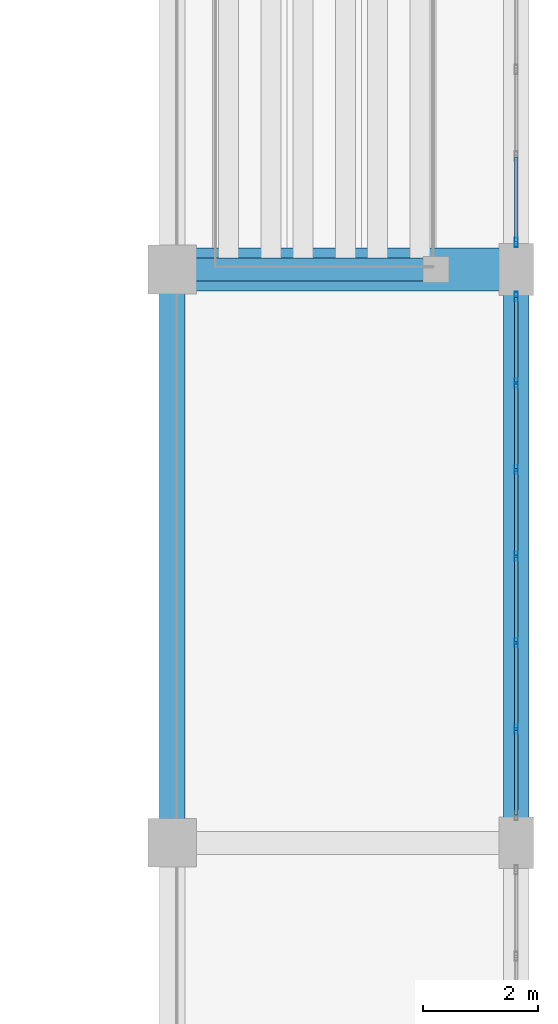
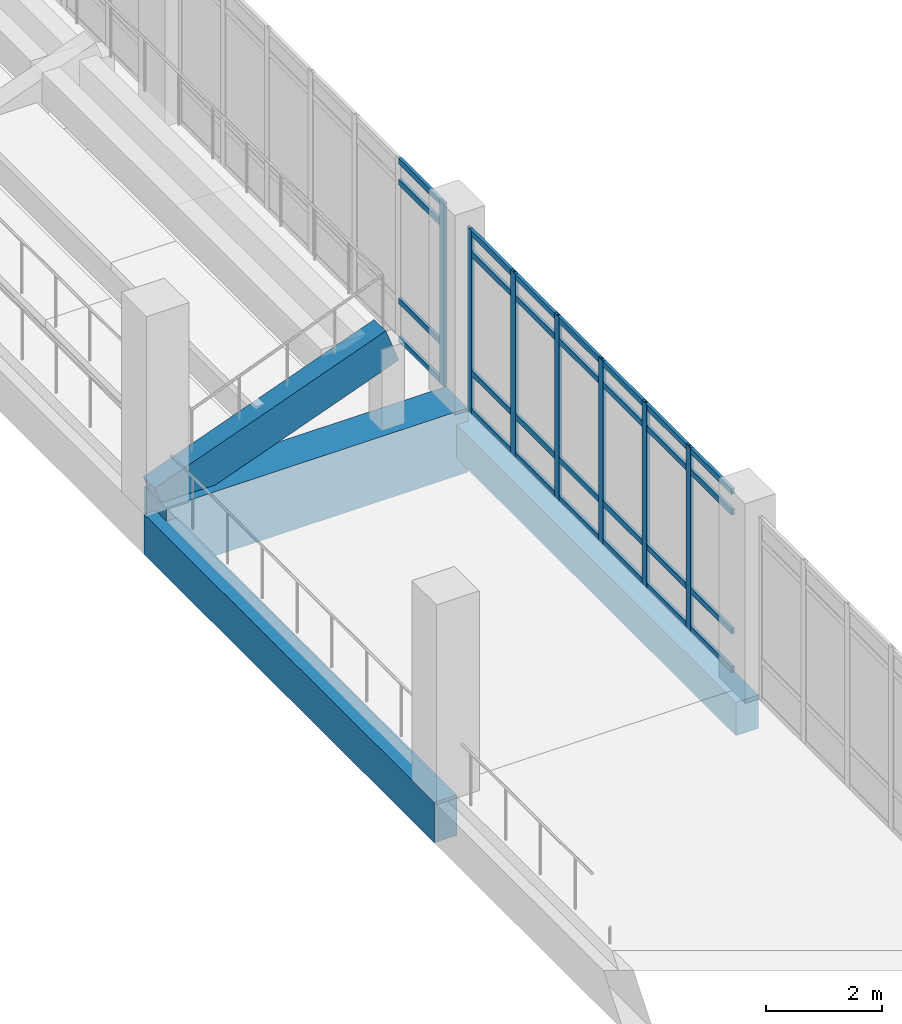
# One storey, part 105 of 161: 35 members, 4 beams, 2 elements without a shape of their own.
"""IFC4 building model written with IfcOpenShell, lengths in metres."""

import ifcopenshell
import ifcopenshell.guid

model = None  # the IFC model being written
_history = None  # IfcOwnerHistory: only IFC2X3 demands one
_inside = {}  # id of a spatial element -> (the spatial element, [elements in it])
_under = {}  # id of a project, library or spatial element -> (it, [spatial elements below it])
_declared = {}  # id of a project -> (the project, [libraries it declares])
_typed = {}  # id of a type object -> (the type object, [elements of that type])
_made_of = {}  # id of a material, layer set ... -> (it, [elements and type objects made of it])


def new_model(schema):
    """Start an empty IFC model of exactly this schema.

    Asked for "IFC4X3", IfcOpenShell would pick the latest addendum, in which some entities
    have other attributes; the version numbers below select the first issue.
    IFC2X3 requires an IfcOwnerHistory on every rooted entity: one is made here for all.
    """
    global model, _history
    if schema == "IFC4X3":
        model = ifcopenshell.file(schema_version=(4, 3, 0, 0))
    else:
        model = ifcopenshell.file(schema=schema)
    _inside.clear()
    _under.clear()
    _declared.clear()
    _typed.clear()
    _made_of.clear()
    _history = None
    if model.schema == "IFC2X3":
        org = make("IfcOrganization", Name="unknown")
        user = make(
            "IfcPersonAndOrganization",
            ThePerson=make("IfcPerson", FamilyName="unknown"),
            TheOrganization=org,
        )
        app = make(
            "IfcApplication",
            ApplicationDeveloper=org,
            Version="unknown",
            ApplicationFullName="unknown",
            ApplicationIdentifier="unknown",
        )
        _history = make(
            "IfcOwnerHistory",
            OwningUser=user,
            OwningApplication=app,
            ChangeAction="ADDED",
            CreationDate=0,
        )
    return model


def make(cls, **values):
    """One entity of the class cls with the attributes given. An attribute that is None is left unset."""
    return model.create_entity(
        cls, **{name: value for name, value in values.items() if value is not None}
    )


def rooted(cls, **values):
    """An entity with a GlobalId (a new one), such as an element, a storey or a relation."""
    return make(cls, GlobalId=ifcopenshell.guid.new(), OwnerHistory=_history, **values)


def si_unit(unit_type, name, prefix=None):
    """IfcSIUnit, for example si_unit("LENGTHUNIT", "METRE", prefix="MILLI")."""
    return make("IfcSIUnit", UnitType=unit_type, Prefix=prefix, Name=name)


def assignment(units):
    """IfcUnitAssignment: the units of a project."""
    return None if units is None else make("IfcUnitAssignment", Units=units)


def point(xyz):
    """IfcCartesianPoint."""
    return None if xyz is None else make("IfcCartesianPoint", Coordinates=xyz)


def direction(xyz):
    """IfcDirection."""
    return None if xyz is None else make("IfcDirection", DirectionRatios=xyz)


def frame(location, z_axis=None, x_axis=None):
    """IfcAxis2Placement3D, a coordinate frame: its origin and axes. An axis left out is left unset."""
    return make(
        "IfcAxis2Placement3D",
        Location=point(location),
        Axis=direction(z_axis),
        RefDirection=direction(x_axis),
    )


def frame_2d(location, x_axis=None):
    """IfcAxis2Placement2D, a coordinate frame in the plane: its origin and x axis."""
    return make(
        "IfcAxis2Placement2D", Location=point(location), RefDirection=direction(x_axis)
    )


def origin():
    """The frame at (0, 0, 0) with its axes left unset."""
    return frame((0.0, 0.0, 0.0))


def origin_2d():
    """The frame at (0, 0) in the plane with its x axis left unset."""
    return frame_2d((0.0, 0.0))


def place(relative_to, where):
    """IfcLocalPlacement: puts the frame where relative to a parent placement (None: the world)."""
    return make(
        "IfcLocalPlacement", PlacementRelTo=relative_to, RelativePlacement=where
    )


def context(
    kind, dimensions, precision=None, world=None, true_north=None, identifier=None
):
    """IfcGeometricRepresentationContext, for example the 3D "Model" context."""
    return make(
        "IfcGeometricRepresentationContext",
        ContextIdentifier=identifier,
        ContextType=kind,
        CoordinateSpaceDimension=dimensions,
        Precision=precision,
        WorldCoordinateSystem=world,
        TrueNorth=true_north,
    )


def subcontext(parent, identifier, kind, view, scale=None):
    """IfcGeometricRepresentationSubContext, for example "Body" below "Model"."""
    return make(
        "IfcGeometricRepresentationSubContext",
        ContextIdentifier=identifier,
        ContextType=kind,
        ParentContext=parent,
        TargetScale=scale,
        TargetView=view,
    )


def project(units=None, contexts=None):
    """IfcProject with its units and contexts."""
    return rooted(
        "IfcProject",
        Name="project",
        RepresentationContexts=contexts,
        UnitsInContext=assignment(units),
    )


def spatial(cls, under=None, at=None, **own):
    """A site, building, storey or space (cls), placed at a placement, below another one or the project."""
    s = rooted(cls, ObjectPlacement=at, **own)
    if under is not None:
        _under.setdefault(under.id(), (under, []))[1].append(s)
    return s


def profile(cls, at=None, kind="AREA", **sizes):
    """A parametric profile (cls). Its sizes go by their IFC names, for example OverallWidth=200.0."""
    return make(cls, ProfileType=kind, Position=at, **sizes)


def rectangle(**sizes):
    """IfcRectangleProfileDef."""
    return profile("IfcRectangleProfileDef", **sizes)


def hollow_rectangle(**sizes):
    """IfcRectangleHollowProfileDef."""
    return profile("IfcRectangleHollowProfileDef", **sizes)


def extrude(swept, where, along, depth):
    """IfcExtrudedAreaSolid: the profile swept, set in the frame where, extruded along a direction by depth."""
    return make(
        "IfcExtrudedAreaSolid",
        SweptArea=swept,
        Position=where,
        ExtrudedDirection=direction(along),
        Depth=depth,
    )


def shape(context_of_items, identifier, shape_type, items):
    """IfcShapeRepresentation: the items that make up one representation, for example the "Body"."""
    return make(
        "IfcShapeRepresentation",
        ContextOfItems=context_of_items,
        RepresentationIdentifier=identifier,
        RepresentationType=shape_type,
        Items=items,
    )


def material(Name=None, Category=None):
    """IfcMaterial."""
    return make("IfcMaterial", Name=Name, Category=Category)


def layer(
    of_material, thickness, ventilated=None, Name=None, Category=None, Priority=None
):
    """IfcMaterialLayer: one layer of a wall or slab, of a material (None: an air gap)."""
    return make(
        "IfcMaterialLayer",
        Material=of_material,
        LayerThickness=thickness,
        IsVentilated=ventilated,
        Name=Name,
        Category=Category,
        Priority=Priority,
    )


def layer_set(layers, Name=None):
    """IfcMaterialLayerSet."""
    return make("IfcMaterialLayerSet", MaterialLayers=layers, LayerSetName=Name)


def material_profile(
    of_material, cross_section, Name=None, Category=None, Priority=None
):
    """IfcMaterialProfile: a cross section and its material."""
    return make(
        "IfcMaterialProfile",
        Name=Name,
        Material=of_material,
        Profile=cross_section,
        Priority=Priority,
        Category=Category,
    )


def profile_set(profiles, Name=None, composite=None):
    """IfcMaterialProfileSet."""
    return make(
        "IfcMaterialProfileSet",
        Name=Name,
        MaterialProfiles=profiles,
        CompositeProfile=composite,
    )


def made_of(thing, what):
    """Note that an element or type object is made of a material, layer set ...; save() writes the relation."""
    if what is not None:
        _made_of.setdefault(what.id(), (what, []))[1].append(thing)
    return thing


def type_object(cls, material=None, **own):
    """A type object (cls), such as IfcWallType, which elements share."""
    return made_of(rooted(cls, **own), material)


def element(
    cls,
    number,
    at=None,
    inside=None,
    cuts=None,
    type_object=None,
    material=None,
    context=None,
    identifier="Body",
    shape_type=None,
    held_by="IfcProductDefinitionShape",
    body=None,
    shapes=None,
    **own,
):
    """One element of the class cls, such as IfcWall. Its Tag is "e" and its number.

    at: its placement. inside: the storey or other place that contains it. cuts: it is an
    opening in that element (IfcRelVoidsElement). A single representation is given by context,
    identifier, shape_type and body (its items); several are given by shapes. held_by: the class
    of the entity that holds the representations. save() writes the other relations.
    """
    e = rooted(cls, Tag="e%d" % number, ObjectPlacement=at, **own)
    if body is not None:
        shapes = [shape(context, identifier, shape_type, body)]
    if shapes is not None:
        e.Representation = make(held_by, Representations=shapes)
    if inside is not None:
        _inside.setdefault(inside.id(), (inside, []))[1].append(e)
    if cuts is not None:
        rooted(
            "IfcRelVoidsElement", RelatingBuildingElement=cuts, RelatedOpeningElement=e
        )
    if type_object is not None:
        _typed.setdefault(type_object.id(), (type_object, []))[1].append(e)
    return made_of(e, material)


def aggregate(whole, parts):
    """IfcRelAggregates: a whole, such as a stair, and the parts it consists of."""
    return rooted("IfcRelAggregates", RelatingObject=whole, RelatedObjects=parts)


def save(model, path):
    """Write the relations noted so far, then the file.

    IfcRelAggregates (storeys below a building ...), IfcRelContainedInSpatialStructure (elements
    in a storey), IfcRelDefinesByType, IfcRelAssociatesMaterial and IfcRelDeclares: one each for
    every whole, place, type object, material and project.
    """
    for whole, parts in _under.values():
        aggregate(whole, parts)
    for where, things in _inside.values():
        rooted(
            "IfcRelContainedInSpatialStructure",
            RelatedElements=things,
            RelatingStructure=where,
        )
    for kind, things in _typed.values():
        rooted("IfcRelDefinesByType", RelatedObjects=things, RelatingType=kind)
    for what, things in _made_of.values():
        rooted("IfcRelAssociatesMaterial", RelatedObjects=things, RelatingMaterial=what)
    for by, libraries in _declared.values():
        rooted("IfcRelDeclares", RelatingContext=by, RelatedDefinitions=libraries)
    model.write(path)


model = new_model("IFC4")

# Units and contexts
model_context = context("Model", 3, precision=1e-05, world=origin(), true_north=direction((0.0, 1.0)))
body_context = subcontext(model_context, "Body", "Model", "MODEL_VIEW")
ifc_project = project(units=[si_unit("LENGTHUNIT", "METRE"), si_unit("AREAUNIT", "SQUARE_METRE"), si_unit("VOLUMEUNIT", "CUBIC_METRE"), si_unit("PLANEANGLEUNIT", "RADIAN"), si_unit("MASSUNIT", "GRAM", prefix="KILO")], contexts=[model_context])

# Site, building, storey
site_placement = place(None, origin())
site = spatial("IfcSite", under=ifc_project, at=site_placement, CompositionType="ELEMENT")
building_placement = place(site_placement, origin())
building = spatial("IfcBuilding", under=site, at=building_placement, Name="Mersad Railyard Sports Hall", CompositionType="ELEMENT")
storey_placement = place(building_placement, frame((0.0, 0.0, 4.800048828125)))
storey = spatial("IfcBuildingStorey", under=building, at=storey_placement, Name="L01", CompositionType="ELEMENT", Elevation=4.800048828125)

# Curtain wall, members
ifc_material_1 = material(Name="Aluminium 6063-T6", Category="aluminium")
ifc_layer = layer(ifc_material_1, 0.159912109375)
ifc_layer_set = layer_set([ifc_layer], Name="Aluminium 6063-T6")
curtain_wall_type = type_object("IfcCurtainWallType", Name="ARC-CW-CW14", PredefinedType="USERDEFINED", material=ifc_layer_set)
curtain_wall_1_placement = place(storey_placement, origin())
curtain_wall_1 = element("IfcCurtainWall", 1, at=curtain_wall_1_placement, inside=storey, type_object=curtain_wall_type, Name="Curtain wall CW14-0048", ObjectType="CURTAIN WALL", PredefinedType="USERDEFINED")
ifc_material_profile_1 = material_profile(ifc_material_1, hollow_rectangle(XDim=0.06005859375, YDim=0.159912109375, WallThickness=0.00390625, at=origin_2d()), Name="AL MULLION 60x160x4")
ifc_profile_set_1 = profile_set([ifc_material_profile_1], Name="Aluminium 6063-T6")
member_type_1 = type_object("IfcMemberType", Name="ARC-CW-MUL01", PredefinedType="MULLION", material=ifc_profile_set_1)
member_1_placement = place(storey_placement, frame((179.0, 33.030029296875, -0.02001953125), z_axis=(0.0, 0.0, 1.0), x_axis=(1.0, 0.0, 0.0)))
member_1 = element("IfcMember", 2, at=member_1_placement, type_object=member_type_1, Name="CW14 Mullion 1", PredefinedType="MULLION", context=body_context, shape_type="SweptSolid", body=[
    extrude(hollow_rectangle(XDim=0.06005859375, YDim=0.159912109375, WallThickness=0.00390625, at=origin_2d()), origin(), (0.0, 0.0, 1.0), 3.869873046875),
])
member_2_placement = place(storey_placement, frame((179.0, 31.52001953125, -0.02001953125), z_axis=(0.0, 0.0, 1.0), x_axis=(1.0, 0.0, 0.0)))
member_2 = element("IfcMember", 3, at=member_2_placement, type_object=member_type_1, Name="CW14 Mullion 2", PredefinedType="MULLION", context=body_context, shape_type="SweptSolid", body=[
    extrude(hollow_rectangle(XDim=0.06005859375, YDim=0.159912109375, WallThickness=0.00390625, at=origin_2d()), origin(), (0.0, 0.0, 1.0), 3.869873046875),
])
member_3_placement = place(storey_placement, frame((179.0, 30.010009765625, -0.02001953125), z_axis=(0.0, 0.0, 1.0), x_axis=(1.0, 0.0, 0.0)))
member_3 = element("IfcMember", 4, at=member_3_placement, type_object=member_type_1, Name="CW14 Mullion 3", PredefinedType="MULLION", context=body_context, shape_type="SweptSolid", body=[
    extrude(hollow_rectangle(XDim=0.06005859375, YDim=0.159912109375, WallThickness=0.00390625, at=origin_2d()), origin(), (0.0, 0.0, 1.0), 3.869873046875),
])
member_4_placement = place(storey_placement, frame((179.0, 28.5, -0.02001953125), z_axis=(0.0, 0.0, 1.0), x_axis=(1.0, 0.0, 0.0)))
member_4 = element("IfcMember", 5, at=member_4_placement, type_object=member_type_1, Name="CW14 Mullion 4", PredefinedType="MULLION", context=body_context, shape_type="SweptSolid", body=[
    extrude(hollow_rectangle(XDim=0.06005859375, YDim=0.159912109375, WallThickness=0.00390625, at=origin_2d()), origin(), (0.0, 0.0, 1.0), 3.869873046875),
])
member_5_placement = place(storey_placement, frame((179.0, 26.989990234375, -0.02001953125), z_axis=(0.0, 0.0, 1.0), x_axis=(1.0, 0.0, 0.0)))
member_5 = element("IfcMember", 6, at=member_5_placement, type_object=member_type_1, Name="CW14 Mullion 5", PredefinedType="MULLION", context=body_context, shape_type="SweptSolid", body=[
    extrude(hollow_rectangle(XDim=0.06005859375, YDim=0.159912109375, WallThickness=0.00390625, at=origin_2d()), origin(), (0.0, 0.0, 1.0), 3.869873046875),
])
member_6_placement = place(storey_placement, frame((179.0, 25.47998046875, -0.02001953125), z_axis=(0.0, 0.0, 1.0), x_axis=(1.0, 0.0, 0.0)))
member_6 = element("IfcMember", 7, at=member_6_placement, type_object=member_type_1, Name="CW14 Mullion 6", PredefinedType="MULLION", context=body_context, shape_type="SweptSolid", body=[
    extrude(hollow_rectangle(XDim=0.06005859375, YDim=0.159912109375, WallThickness=0.00390625, at=origin_2d()), origin(), (0.0, 0.0, 1.0), 3.869873046875),
])

# Curtain wall, member
curtain_wall_2_placement = place(storey_placement, origin())
curtain_wall_2 = element("IfcCurtainWall", 8, at=curtain_wall_2_placement, inside=storey, type_object=curtain_wall_type, Name="Curtain wall CW14-0050", ObjectType="CURTAIN WALL", PredefinedType="USERDEFINED")
member_7_placement = place(storey_placement, frame((179.0, 33.969970703125, -0.02001953125), z_axis=(0.0, 0.0, 1.0), x_axis=(1.0, 0.0, 0.0)))
member_7 = element("IfcMember", 9, at=member_7_placement, type_object=member_type_1, Name="CW14 Mullion 7", PredefinedType="MULLION", context=body_context, shape_type="SweptSolid", body=[
    extrude(hollow_rectangle(XDim=0.06005859375, YDim=0.159912109375, WallThickness=0.00390625, at=origin_2d()), origin(), (0.0, 0.0, 1.0), 3.869873046875),
])

# Member
ifc_material_profile_2 = material_profile(ifc_material_1, hollow_rectangle(XDim=0.06005859375, YDim=0.1201171875, WallThickness=0.00390625, at=origin_2d()), Name="AL TRANSOM 60x120x4")
ifc_profile_set_2 = profile_set([ifc_material_profile_2], Name="Aluminium 6063-T6")
member_type_2 = type_object("IfcMemberType", Name="ARC-CW-TRN01", PredefinedType="USERDEFINED", material=ifc_profile_set_2)
member_8_placement = place(storey_placement, frame((179.0, 33.010009765625, 0.0400390625), z_axis=(0.0, -1.0, 0.0), x_axis=(1.0, 0.0, 0.0)))
member_8 = element("IfcMember", 10, at=member_8_placement, type_object=member_type_2, Name="CW14 Transom 1-1", ObjectType="TRANSOM", PredefinedType="USERDEFINED", context=body_context, shape_type="SweptSolid", body=[
    extrude(hollow_rectangle(XDim=0.06005859375, YDim=0.1201171875, WallThickness=0.00390625, at=origin_2d()), origin(), (0.0, 0.0, 1.0), 1.469970703125),
])

member_9_placement = place(storey_placement, frame((179.0, 31.5, 0.0400390625), z_axis=(0.0, -1.0, 0.0), x_axis=(1.0, 0.0, 0.0)))
member_9 = element("IfcMember", 11, at=member_9_placement, type_object=member_type_2, Name="CW14 Transom 1-2", ObjectType="TRANSOM", PredefinedType="USERDEFINED", context=body_context, shape_type="SweptSolid", body=[
    extrude(hollow_rectangle(XDim=0.06005859375, YDim=0.1201171875, WallThickness=0.00390625, at=origin_2d()), origin(), (0.0, 0.0, 1.0), 1.469970703125),
])

member_10_placement = place(storey_placement, frame((179.0, 29.989990234375, 0.0400390625), z_axis=(0.0, -1.0, 0.0), x_axis=(1.0, 0.0, 0.0)))
member_10 = element("IfcMember", 12, at=member_10_placement, type_object=member_type_2, Name="CW14 Transom 1-3", ObjectType="TRANSOM", PredefinedType="USERDEFINED", context=body_context, shape_type="SweptSolid", body=[
    extrude(hollow_rectangle(XDim=0.06005859375, YDim=0.1201171875, WallThickness=0.00390625, at=origin_2d()), origin(), (0.0, 0.0, 1.0), 1.469970703125),
])

member_11_placement = place(storey_placement, frame((179.0, 28.47998046875, 0.0400390625), z_axis=(0.0, -1.0, 0.0), x_axis=(1.0, 0.0, 0.0)))
member_11 = element("IfcMember", 13, at=member_11_placement, type_object=member_type_2, Name="CW14 Transom 1-4", ObjectType="TRANSOM", PredefinedType="USERDEFINED", context=body_context, shape_type="SweptSolid", body=[
    extrude(hollow_rectangle(XDim=0.06005859375, YDim=0.1201171875, WallThickness=0.00390625, at=origin_2d()), origin(), (0.0, 0.0, 1.0), 1.469970703125),
])

member_12_placement = place(storey_placement, frame((179.0, 26.969970703125, 0.0400390625), z_axis=(0.0, -1.0, 0.0), x_axis=(1.0, 0.0, 0.0)))
member_12 = element("IfcMember", 14, at=member_12_placement, type_object=member_type_2, Name="CW14 Transom 1-5", ObjectType="TRANSOM", PredefinedType="USERDEFINED", context=body_context, shape_type="SweptSolid", body=[
    extrude(hollow_rectangle(XDim=0.06005859375, YDim=0.1201171875, WallThickness=0.00390625, at=origin_2d()), origin(), (0.0, 0.0, 1.0), 1.469970703125),
])

member_13_placement = place(storey_placement, frame((179.0, 25.4599609375, 0.0400390625), z_axis=(0.0, -1.0, 0.0), x_axis=(1.0, 0.0, 0.0)))
member_13 = element("IfcMember", 15, at=member_13_placement, type_object=member_type_2, Name="CW14 Transom 1-6", ObjectType="TRANSOM", PredefinedType="USERDEFINED", context=body_context, shape_type="SweptSolid", body=[
    extrude(hollow_rectangle(XDim=0.06005859375, YDim=0.1201171875, WallThickness=0.00390625, at=origin_2d()), origin(), (0.0, 0.0, 1.0), 1.469970703125),
])

member_14_placement = place(storey_placement, frame((179.0, 33.010009765625, 0.849853515625), z_axis=(0.0, -1.0, 0.0), x_axis=(1.0, 0.0, 0.0)))
member_14 = element("IfcMember", 16, at=member_14_placement, type_object=member_type_2, Name="CW14 Transom 2-1", ObjectType="TRANSOM", PredefinedType="USERDEFINED", context=body_context, shape_type="SweptSolid", body=[
    extrude(hollow_rectangle(XDim=0.06005859375, YDim=0.1201171875, WallThickness=0.00390625, at=origin_2d()), origin(), (0.0, 0.0, 1.0), 1.469970703125),
])

member_15_placement = place(storey_placement, frame((179.0, 31.5, 0.849853515625), z_axis=(0.0, -1.0, 0.0), x_axis=(1.0, 0.0, 0.0)))
member_15 = element("IfcMember", 17, at=member_15_placement, type_object=member_type_2, Name="CW14 Transom 2-2", ObjectType="TRANSOM", PredefinedType="USERDEFINED", context=body_context, shape_type="SweptSolid", body=[
    extrude(hollow_rectangle(XDim=0.06005859375, YDim=0.1201171875, WallThickness=0.00390625, at=origin_2d()), origin(), (0.0, 0.0, 1.0), 1.469970703125),
])

member_16_placement = place(storey_placement, frame((179.0, 29.989990234375, 0.849853515625), z_axis=(0.0, -1.0, 0.0), x_axis=(1.0, 0.0, 0.0)))
member_16 = element("IfcMember", 18, at=member_16_placement, type_object=member_type_2, Name="CW14 Transom 2-3", ObjectType="TRANSOM", PredefinedType="USERDEFINED", context=body_context, shape_type="SweptSolid", body=[
    extrude(hollow_rectangle(XDim=0.06005859375, YDim=0.1201171875, WallThickness=0.00390625, at=origin_2d()), origin(), (0.0, 0.0, 1.0), 1.469970703125),
])

member_17_placement = place(storey_placement, frame((179.0, 28.47998046875, 0.849853515625), z_axis=(0.0, -1.0, 0.0), x_axis=(1.0, 0.0, 0.0)))
member_17 = element("IfcMember", 19, at=member_17_placement, type_object=member_type_2, Name="CW14 Transom 2-4", ObjectType="TRANSOM", PredefinedType="USERDEFINED", context=body_context, shape_type="SweptSolid", body=[
    extrude(hollow_rectangle(XDim=0.06005859375, YDim=0.1201171875, WallThickness=0.00390625, at=origin_2d()), origin(), (0.0, 0.0, 1.0), 1.469970703125),
])

member_18_placement = place(storey_placement, frame((179.0, 26.969970703125, 0.849853515625), z_axis=(0.0, -1.0, 0.0), x_axis=(1.0, 0.0, 0.0)))
member_18 = element("IfcMember", 20, at=member_18_placement, type_object=member_type_2, Name="CW14 Transom 2-5", ObjectType="TRANSOM", PredefinedType="USERDEFINED", context=body_context, shape_type="SweptSolid", body=[
    extrude(hollow_rectangle(XDim=0.06005859375, YDim=0.1201171875, WallThickness=0.00390625, at=origin_2d()), origin(), (0.0, 0.0, 1.0), 1.469970703125),
])

member_19_placement = place(storey_placement, frame((179.0, 25.4599609375, 0.849853515625), z_axis=(0.0, -1.0, 0.0), x_axis=(1.0, 0.0, 0.0)))
member_19 = element("IfcMember", 21, at=member_19_placement, type_object=member_type_2, Name="CW14 Transom 2-6", ObjectType="TRANSOM", PredefinedType="USERDEFINED", context=body_context, shape_type="SweptSolid", body=[
    extrude(hollow_rectangle(XDim=0.06005859375, YDim=0.1201171875, WallThickness=0.00390625, at=origin_2d()), origin(), (0.0, 0.0, 1.0), 1.469970703125),
])

member_20_placement = place(storey_placement, frame((179.0, 33.010009765625, 3.349853515625), z_axis=(0.0, -1.0, 0.0), x_axis=(1.0, 0.0, 0.0)))
member_20 = element("IfcMember", 22, at=member_20_placement, type_object=member_type_2, Name="CW14 Transom 3-1", ObjectType="TRANSOM", PredefinedType="USERDEFINED", context=body_context, shape_type="SweptSolid", body=[
    extrude(hollow_rectangle(XDim=0.06005859375, YDim=0.1201171875, WallThickness=0.00390625, at=origin_2d()), origin(), (0.0, 0.0, 1.0), 1.469970703125),
])

member_21_placement = place(storey_placement, frame((179.0, 31.5, 3.349853515625), z_axis=(0.0, -1.0, 0.0), x_axis=(1.0, 0.0, 0.0)))
member_21 = element("IfcMember", 23, at=member_21_placement, type_object=member_type_2, Name="CW14 Transom 3-2", ObjectType="TRANSOM", PredefinedType="USERDEFINED", context=body_context, shape_type="SweptSolid", body=[
    extrude(hollow_rectangle(XDim=0.06005859375, YDim=0.1201171875, WallThickness=0.00390625, at=origin_2d()), origin(), (0.0, 0.0, 1.0), 1.469970703125),
])

member_22_placement = place(storey_placement, frame((179.0, 29.989990234375, 3.349853515625), z_axis=(0.0, -1.0, 0.0), x_axis=(1.0, 0.0, 0.0)))
member_22 = element("IfcMember", 24, at=member_22_placement, type_object=member_type_2, Name="CW14 Transom 3-3", ObjectType="TRANSOM", PredefinedType="USERDEFINED", context=body_context, shape_type="SweptSolid", body=[
    extrude(hollow_rectangle(XDim=0.06005859375, YDim=0.1201171875, WallThickness=0.00390625, at=origin_2d()), origin(), (0.0, 0.0, 1.0), 1.469970703125),
])

member_23_placement = place(storey_placement, frame((179.0, 28.47998046875, 3.349853515625), z_axis=(0.0, -1.0, 0.0), x_axis=(1.0, 0.0, 0.0)))
member_23 = element("IfcMember", 25, at=member_23_placement, type_object=member_type_2, Name="CW14 Transom 3-4", ObjectType="TRANSOM", PredefinedType="USERDEFINED", context=body_context, shape_type="SweptSolid", body=[
    extrude(hollow_rectangle(XDim=0.06005859375, YDim=0.1201171875, WallThickness=0.00390625, at=origin_2d()), origin(), (0.0, 0.0, 1.0), 1.469970703125),
])

member_24_placement = place(storey_placement, frame((179.0, 26.969970703125, 3.349853515625), z_axis=(0.0, -1.0, 0.0), x_axis=(1.0, 0.0, 0.0)))
member_24 = element("IfcMember", 26, at=member_24_placement, type_object=member_type_2, Name="CW14 Transom 3-5", ObjectType="TRANSOM", PredefinedType="USERDEFINED", context=body_context, shape_type="SweptSolid", body=[
    extrude(hollow_rectangle(XDim=0.06005859375, YDim=0.1201171875, WallThickness=0.00390625, at=origin_2d()), origin(), (0.0, 0.0, 1.0), 1.469970703125),
])

member_25_placement = place(storey_placement, frame((179.0, 25.4599609375, 3.349853515625), z_axis=(0.0, -1.0, 0.0), x_axis=(1.0, 0.0, 0.0)))
member_25 = element("IfcMember", 27, at=member_25_placement, type_object=member_type_2, Name="CW14 Transom 3-6", ObjectType="TRANSOM", PredefinedType="USERDEFINED", context=body_context, shape_type="SweptSolid", body=[
    extrude(hollow_rectangle(XDim=0.06005859375, YDim=0.1201171875, WallThickness=0.00390625, at=origin_2d()), origin(), (0.0, 0.0, 1.0), 1.469970703125),
])

member_26_placement = place(storey_placement, frame((179.0, 33.010009765625, 3.7900390625), z_axis=(0.0, -1.0, 0.0), x_axis=(1.0, 0.0, 0.0)))
member_26 = element("IfcMember", 28, at=member_26_placement, type_object=member_type_2, Name="CW14 Transom 4-1", ObjectType="TRANSOM", PredefinedType="USERDEFINED", context=body_context, shape_type="SweptSolid", body=[
    extrude(hollow_rectangle(XDim=0.06005859375, YDim=0.1201171875, WallThickness=0.00390625, at=origin_2d()), origin(), (0.0, 0.0, 1.0), 1.469970703125),
])

member_27_placement = place(storey_placement, frame((179.0, 31.5, 3.7900390625), z_axis=(0.0, -1.0, 0.0), x_axis=(1.0, 0.0, 0.0)))
member_27 = element("IfcMember", 29, at=member_27_placement, type_object=member_type_2, Name="CW14 Transom 4-2", ObjectType="TRANSOM", PredefinedType="USERDEFINED", context=body_context, shape_type="SweptSolid", body=[
    extrude(hollow_rectangle(XDim=0.06005859375, YDim=0.1201171875, WallThickness=0.00390625, at=origin_2d()), origin(), (0.0, 0.0, 1.0), 1.469970703125),
])

member_28_placement = place(storey_placement, frame((179.0, 29.989990234375, 3.7900390625), z_axis=(0.0, -1.0, 0.0), x_axis=(1.0, 0.0, 0.0)))
member_28 = element("IfcMember", 30, at=member_28_placement, type_object=member_type_2, Name="CW14 Transom 4-3", ObjectType="TRANSOM", PredefinedType="USERDEFINED", context=body_context, shape_type="SweptSolid", body=[
    extrude(hollow_rectangle(XDim=0.06005859375, YDim=0.1201171875, WallThickness=0.00390625, at=origin_2d()), origin(), (0.0, 0.0, 1.0), 1.469970703125),
])

member_29_placement = place(storey_placement, frame((179.0, 28.47998046875, 3.7900390625), z_axis=(0.0, -1.0, 0.0), x_axis=(1.0, 0.0, 0.0)))
member_29 = element("IfcMember", 31, at=member_29_placement, type_object=member_type_2, Name="CW14 Transom 4-4", ObjectType="TRANSOM", PredefinedType="USERDEFINED", context=body_context, shape_type="SweptSolid", body=[
    extrude(hollow_rectangle(XDim=0.06005859375, YDim=0.1201171875, WallThickness=0.00390625, at=origin_2d()), origin(), (0.0, 0.0, 1.0), 1.469970703125),
])

member_30_placement = place(storey_placement, frame((179.0, 26.969970703125, 3.7900390625), z_axis=(0.0, -1.0, 0.0), x_axis=(1.0, 0.0, 0.0)))
member_30 = element("IfcMember", 32, at=member_30_placement, type_object=member_type_2, Name="CW14 Transom 4-5", ObjectType="TRANSOM", PredefinedType="USERDEFINED", context=body_context, shape_type="SweptSolid", body=[
    extrude(hollow_rectangle(XDim=0.06005859375, YDim=0.1201171875, WallThickness=0.00390625, at=origin_2d()), origin(), (0.0, 0.0, 1.0), 1.469970703125),
])

member_31_placement = place(storey_placement, frame((179.0, 25.4599609375, 3.7900390625), z_axis=(0.0, -1.0, 0.0), x_axis=(1.0, 0.0, 0.0)))
member_31 = element("IfcMember", 33, at=member_31_placement, type_object=member_type_2, Name="CW14 Transom 4-6", ObjectType="TRANSOM", PredefinedType="USERDEFINED", context=body_context, shape_type="SweptSolid", body=[
    extrude(hollow_rectangle(XDim=0.06005859375, YDim=0.1201171875, WallThickness=0.00390625, at=origin_2d()), origin(), (0.0, 0.0, 1.0), 1.469970703125),
])

aggregate(curtain_wall_1, [member_1, member_2, member_3, member_4, member_5, member_6, member_8, member_9, member_10, member_11, member_12, member_13, member_14, member_15, member_16, member_17, member_18, member_19, member_20, member_21, member_22, member_23, member_24, member_25, member_26, member_27, member_28, member_29, member_30, member_31])

member_32_placement = place(storey_placement, frame((179.0, 35.4599609375, 0.0400390625), z_axis=(0.0, -1.0, 0.0), x_axis=(1.0, 0.0, 0.0)))
member_32 = element("IfcMember", 34, at=member_32_placement, type_object=member_type_2, Name="CW14 Transom 1-6", ObjectType="TRANSOM", PredefinedType="USERDEFINED", context=body_context, shape_type="SweptSolid", body=[
    extrude(hollow_rectangle(XDim=0.06005859375, YDim=0.1201171875, WallThickness=0.00390625, at=origin_2d()), origin(), (0.0, 0.0, 1.0), 1.469970703125),
])

member_33_placement = place(storey_placement, frame((179.0, 35.4599609375, 0.849853515625), z_axis=(0.0, -1.0, 0.0), x_axis=(1.0, 0.0, 0.0)))
member_33 = element("IfcMember", 35, at=member_33_placement, type_object=member_type_2, Name="CW14 Transom 2-6", ObjectType="TRANSOM", PredefinedType="USERDEFINED", context=body_context, shape_type="SweptSolid", body=[
    extrude(hollow_rectangle(XDim=0.06005859375, YDim=0.1201171875, WallThickness=0.00390625, at=origin_2d()), origin(), (0.0, 0.0, 1.0), 1.469970703125),
])

member_34_placement = place(storey_placement, frame((179.0, 35.4599609375, 3.349853515625), z_axis=(0.0, -1.0, 0.0), x_axis=(1.0, 0.0, 0.0)))
member_34 = element("IfcMember", 36, at=member_34_placement, type_object=member_type_2, Name="CW14 Transom 3-6", ObjectType="TRANSOM", PredefinedType="USERDEFINED", context=body_context, shape_type="SweptSolid", body=[
    extrude(hollow_rectangle(XDim=0.06005859375, YDim=0.1201171875, WallThickness=0.00390625, at=origin_2d()), origin(), (0.0, 0.0, 1.0), 1.469970703125),
])

member_35_placement = place(storey_placement, frame((179.0, 35.4599609375, 3.7900390625), z_axis=(0.0, -1.0, 0.0), x_axis=(1.0, 0.0, 0.0)))
member_35 = element("IfcMember", 37, at=member_35_placement, type_object=member_type_2, Name="CW14 Transom 4-6", ObjectType="TRANSOM", PredefinedType="USERDEFINED", context=body_context, shape_type="SweptSolid", body=[
    extrude(hollow_rectangle(XDim=0.06005859375, YDim=0.1201171875, WallThickness=0.00390625, at=origin_2d()), origin(), (0.0, 0.0, 1.0), 1.469970703125),
])

aggregate(curtain_wall_2, [member_7, member_32, member_33, member_34, member_35])

# Beams
ifc_material_2 = material(Name="Concrete C40/50", Category="concrete")
ifc_material_profile_3 = material_profile(ifc_material_2, rectangle(XDim=0.449951171875, YDim=0.85009765625, at=origin_2d()), Name="RC 450x850")
ifc_profile_set_3 = profile_set([ifc_material_profile_3], Name="Concrete C40/50")
beam_type_1 = type_object("IfcBeamType", Name="STR-BM-B02", PredefinedType="BEAM", material=ifc_profile_set_3)
beam_1_placement = place(storey_placement, frame((173.0, 23.5, -0.705078125), z_axis=(0.0, 1.0, 0.0), x_axis=(-1.0, 0.0, 0.0)))
element("IfcBeam", 38, at=beam_1_placement, inside=storey, type_object=beam_type_1, Name="Beam B02-0649", PredefinedType="BEAM", context=body_context, shape_type="SweptSolid", body=[
    extrude(rectangle(XDim=0.449951171875, YDim=0.85009765625, at=origin_2d()), origin(), (0.0, 0.0, 1.0), 10.0),
])
ifc_material_profile_4 = material_profile(ifc_material_2, rectangle(XDim=0.39990234375, YDim=0.75, at=origin_2d()), Name="RC 400x750")
ifc_profile_set_4 = profile_set([ifc_material_profile_4], Name="Concrete C40/50")
beam_type_2 = type_object("IfcBeamType", Name="STR-BM-RK02", PredefinedType="USERDEFINED", material=ifc_profile_set_4)
beam_2_placement = place(storey_placement, frame((177.60009765625, 33.5, 1.699951171875), z_axis=(-0.938000128982, 0.0, -0.34663490596), x_axis=(0.0, -1.0, 0.0)))
element("IfcBeam", 39, at=beam_2_placement, inside=storey, type_object=beam_type_2, Name="Beam RK02-0844", ObjectType="RAKER", PredefinedType="USERDEFINED", context=body_context, shape_type="SweptSolid", body=[
    extrude(rectangle(XDim=0.39990234375, YDim=0.75, at=origin_2d()), origin(), (0.0, 0.0, 1.0), 4.904052734375),
])
ifc_material_3 = material(Name="Architectural concrete C40/50", Category="concrete")
ifc_material_profile_5 = material_profile(ifc_material_3, rectangle(XDim=0.449951171875, YDim=0.699951171875, at=origin_2d()), Name="RC 450x700")
ifc_profile_set_5 = profile_set([ifc_material_profile_5], Name="Architectural concrete C40/50")
beam_type_3 = type_object("IfcBeamType", Name="STR-BM-SP01", PredefinedType="SPANDREL", material=ifc_profile_set_5)
beam_3_placement = place(storey_placement, frame((179.0, 23.5, -0.630126953125), z_axis=(0.0, 1.0, 0.0), x_axis=(-1.0, 0.0, 0.0)))
element("IfcBeam", 40, at=beam_3_placement, inside=storey, type_object=beam_type_3, Name="Beam SP01-0656", PredefinedType="SPANDREL", context=body_context, shape_type="SweptSolid", body=[
    extrude(rectangle(XDim=0.449951171875, YDim=0.699951171875, at=origin_2d()), origin(), (0.0, 0.0, 1.0), 10.0),
])
ifc_material_4 = material(Name="Post-tensioned concrete C50/60", Category="concrete")
ifc_material_profile_6 = material_profile(ifc_material_4, rectangle(XDim=0.75, YDim=1.35009765625, at=origin_2d()), Name="PT 750x1350")
ifc_profile_set_6 = profile_set([ifc_material_profile_6], Name="Post-tensioned concrete C50/60")
beam_type_4 = type_object("IfcBeamType", Name="STR-BM-TG02", PredefinedType="USERDEFINED", material=ifc_profile_set_6)
beam_4_placement = place(storey_placement, frame((173.0, 33.5, -0.675048828125), z_axis=(1.0, 0.0, 0.0), x_axis=(0.0, 1.0, 0.0)))
element("IfcBeam", 41, at=beam_4_placement, inside=storey, type_object=beam_type_4, Name="Transfer girder TG02-0622", ObjectType="GIRDER", PredefinedType="USERDEFINED", context=body_context, shape_type="SweptSolid", body=[
    extrude(rectangle(XDim=0.75, YDim=1.35009765625, at=origin_2d()), origin(), (0.0, 0.0, 1.0), 6.0),
])

save(model, "model.ifc")
